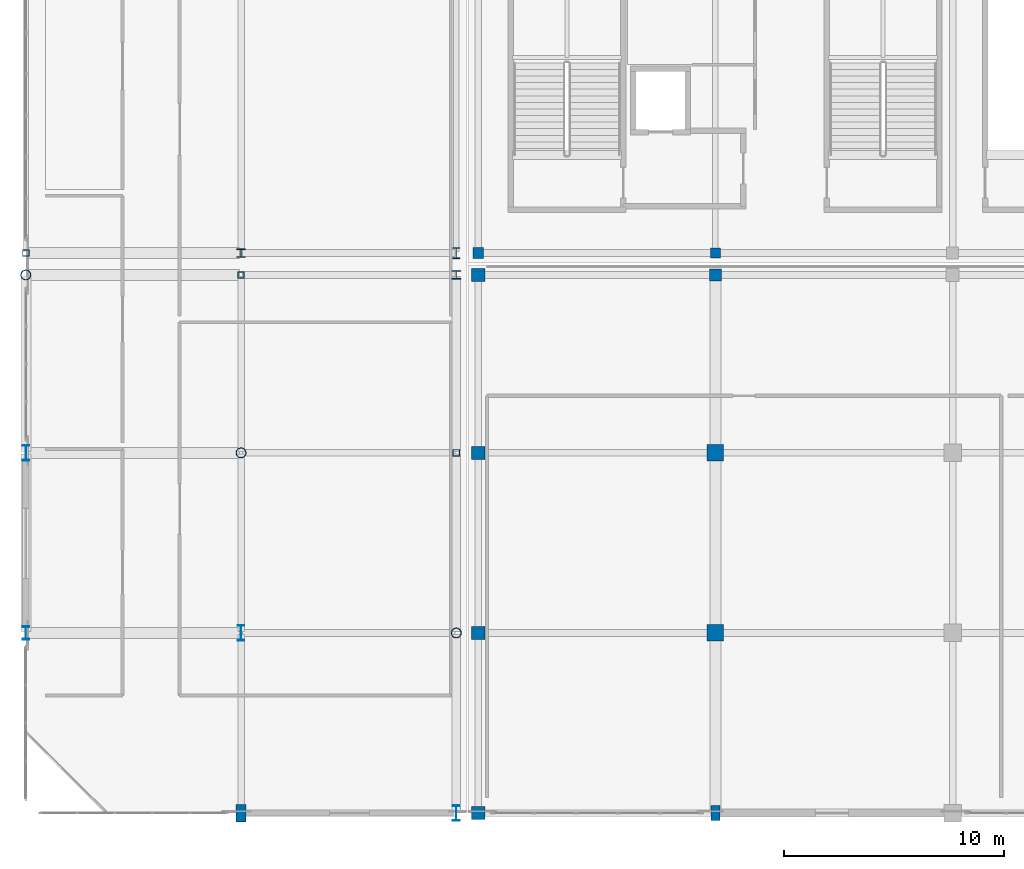
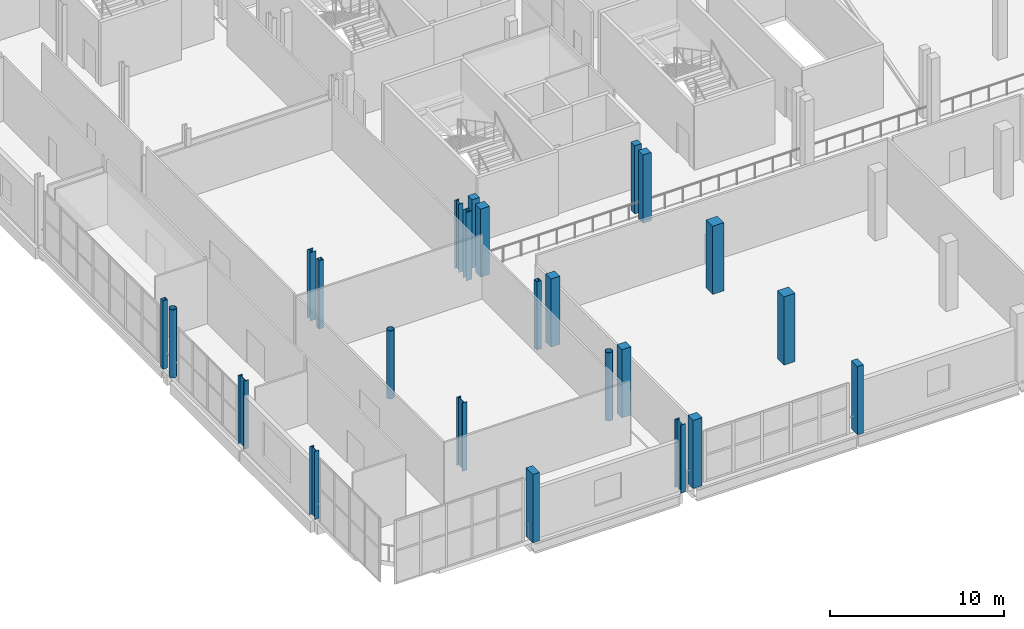
# One storey, part 1 of 129: 24 columns.
"""IFC4 building model written with IfcOpenShell, lengths in metres."""

from ifc_helpers import new_model, si_unit, direction, frame, origin, origin_2d, place, context, subcontext, project, spatial, rectangle, hollow_rectangle, hollow_circle, i_section, extrude, material, material_profile, profile_set, type_object, element, save


model = new_model("IFC4")

# Units and contexts
model_context = context("Model", 3, precision=1e-05, world=origin(), true_north=direction((0.0, 1.0)))
body_context = subcontext(model_context, "Body", "Model", "MODEL_VIEW")
ifc_project = project(units=[si_unit("LENGTHUNIT", "METRE"), si_unit("AREAUNIT", "SQUARE_METRE"), si_unit("VOLUMEUNIT", "CUBIC_METRE"), si_unit("PLANEANGLEUNIT", "RADIAN"), si_unit("MASSUNIT", "GRAM", prefix="KILO")], contexts=[model_context])

# Site, building, storey
site_placement = place(None, origin())
site = spatial("IfcSite", under=ifc_project, at=site_placement, CompositionType="ELEMENT")
building_placement = place(site_placement, origin())
building = spatial("IfcBuilding", under=site, at=building_placement, Name="Koshinbarg Plaza Stadium", CompositionType="ELEMENT")
storey_placement = place(building_placement, frame((0.0, 0.0, 5.39990234375)))
storey = spatial("IfcBuildingStorey", under=building, at=storey_placement, Name="L01", CompositionType="ELEMENT", Elevation=5.39990234375)

# Columns
ifc_material_1 = material(Name="Concrete C40/50", Category="concrete")
ifc_material_profile_1 = material_profile(ifc_material_1, rectangle(XDim=0.39990234375, YDim=0.699951171875, at=origin_2d()), Name="PIL 400x700")
ifc_profile_set_1 = profile_set([ifc_material_profile_1], Name="Concrete C40/50")
column_type_1 = type_object("IfcColumnType", Name="COL-PIL-01", PredefinedType="PILASTER", material=ifc_profile_set_1)
column_1_placement = place(storey_placement, frame((35.39990234375, 0.0, 0.0), z_axis=(0.0, 0.0, 1.0), x_axis=(1.0, 0.0, 0.0)))
element("IfcColumn", 1, at=column_1_placement, inside=storey, type_object=column_type_1, Name="L01 column 6/A", PredefinedType="PILASTER", context=body_context, shape_type="SweptSolid", body=[
    extrude(rectangle(XDim=0.39990234375, YDim=0.699951171875, at=origin_2d()), origin(), (0.0, 0.0, 1.0), 4.800048828125),
])
ifc_material_profile_2 = material_profile(ifc_material_1, rectangle(XDim=0.449951171875, YDim=0.800048828125, at=origin_2d()), Name="PIL 450x800")
ifc_profile_set_2 = profile_set([ifc_material_profile_2], Name="Concrete C40/50")
column_type_2 = type_object("IfcColumnType", Name="COL-PIL-02", PredefinedType="PILASTER", material=ifc_profile_set_2)
column_2_placement = place(storey_placement, frame((13.800048828125, 0.0, 0.0), z_axis=(0.0, 0.0, 1.0), x_axis=(1.0, 0.0, 0.0)))
element("IfcColumn", 2, at=column_2_placement, inside=storey, type_object=column_type_2, Name="L01 column 3/A", PredefinedType="PILASTER", context=body_context, shape_type="SweptSolid", body=[
    extrude(rectangle(XDim=0.449951171875, YDim=0.800048828125, at=origin_2d()), origin(), (0.0, 0.0, 1.0), 4.800048828125),
])
ifc_material_profile_3 = material_profile(ifc_material_1, rectangle(XDim=0.449951171875, YDim=0.449951171875, at=origin_2d()), Name="RC 450x450")
ifc_profile_set_3 = profile_set([ifc_material_profile_3], Name="Concrete C40/50")
column_type_3 = type_object("IfcColumnType", Name="COL-RC-01", PredefinedType="COLUMN", material=ifc_profile_set_3)
column_3_placement = place(storey_placement, frame((35.39990234375, 25.5, 0.0), z_axis=(0.0, 0.0, 1.0), x_axis=(1.0, 0.0, 0.0)))
element("IfcColumn", 3, at=column_3_placement, inside=storey, type_object=column_type_3, Name="L01 column 6/E", PredefinedType="COLUMN", context=body_context, shape_type="SweptSolid", body=[
    extrude(rectangle(XDim=0.449951171875, YDim=0.449951171875, at=origin_2d()), origin(), (0.0, 0.0, 1.0), 4.800048828125),
])
ifc_material_profile_4 = material_profile(ifc_material_1, rectangle(XDim=0.5, YDim=0.5, at=origin_2d()), Name="RC 500x500")
ifc_profile_set_4 = profile_set([ifc_material_profile_4], Name="Concrete C40/50")
column_type_4 = type_object("IfcColumnType", Name="COL-RC-02", PredefinedType="COLUMN", material=ifc_profile_set_4)
column_4_placement = place(storey_placement, frame((24.60009765625, 25.5, 0.0), z_axis=(0.0, 0.0, 1.0), x_axis=(1.0, 0.0, 0.0)))
element("IfcColumn", 4, at=column_4_placement, inside=storey, type_object=column_type_4, Name="L01 column 5/E", PredefinedType="COLUMN", context=body_context, shape_type="SweptSolid", body=[
    extrude(rectangle(XDim=0.5, YDim=0.5, at=origin_2d()), origin(), (0.0, 0.0, 1.0), 4.800048828125),
])
ifc_material_profile_5 = material_profile(ifc_material_1, rectangle(XDim=0.550048828125, YDim=0.550048828125, at=origin_2d()), Name="RC 550x550")
ifc_profile_set_5 = profile_set([ifc_material_profile_5], Name="Concrete C40/50")
column_type_5 = type_object("IfcColumnType", Name="COL-RC-03", PredefinedType="COLUMN", material=ifc_profile_set_5)
column_5_placement = place(storey_placement, frame((35.39990234375, 24.5, 0.0), z_axis=(0.0, 0.0, 1.0), x_axis=(1.0, 0.0, 0.0)))
element("IfcColumn", 5, at=column_5_placement, inside=storey, type_object=column_type_5, Name="L01 column 6/D", PredefinedType="COLUMN", context=body_context, shape_type="SweptSolid", body=[
    extrude(rectangle(XDim=0.550048828125, YDim=0.550048828125, at=origin_2d()), origin(), (0.0, 0.0, 1.0), 4.800048828125),
])
ifc_material_profile_6 = material_profile(ifc_material_1, rectangle(XDim=0.60009765625, YDim=0.60009765625, at=origin_2d()), Name="RC 600x600")
ifc_profile_set_6 = profile_set([ifc_material_profile_6], Name="Concrete C40/50")
column_type_6 = type_object("IfcColumnType", Name="COL-RC-04", PredefinedType="COLUMN", material=ifc_profile_set_6)
for number, where, z_axis, x_axis, name in (
    (6, (24.60009765625, 0.0, 0.0), (0.0, 0.0, 1.0), (1.0, 0.0, 0.0), "L01 column 5/A"),
    (7, (24.60009765625, 8.199951171875, 0.0), (0.0, 0.0, 1.0), (1.0, 0.0, 0.0), "L01 column 5/B"),
    (8, (24.60009765625, 16.39990234375, 0.0), (0.0, 0.0, 1.0), (1.0, 0.0, 0.0), "L01 column 5/C"),
    (9, (24.60009765625, 24.5, 0.0), (0.0, 0.0, 1.0), (1.0, 0.0, 0.0), "L01 column 5/D"),
):
    element("IfcColumn", number, at=place(storey_placement, frame(where, z_axis=z_axis, x_axis=x_axis)), inside=storey, type_object=column_type_6, Name=name, PredefinedType="COLUMN", context=body_context, shape_type="SweptSolid", body=[
        extrude(rectangle(XDim=0.60009765625, YDim=0.60009765625, at=origin_2d()), origin(), (0.0, 0.0, 1.0), 4.800048828125),
    ])
ifc_material_profile_7 = material_profile(ifc_material_1, rectangle(XDim=0.75, YDim=0.75, at=origin_2d()), Name="RC 750x750")
ifc_profile_set_7 = profile_set([ifc_material_profile_7], Name="Concrete C40/50")
column_type_7 = type_object("IfcColumnType", Name="COL-RC-07", PredefinedType="COLUMN", material=ifc_profile_set_7)
for number, where, z_axis, x_axis, name in (
    (10, (35.39990234375, 8.199951171875, 0.0), (0.0, 0.0, 1.0), (1.0, 0.0, 0.0), "L01 column 6/B"),
    (11, (35.39990234375, 16.39990234375, 0.0), (0.0, 0.0, 1.0), (1.0, 0.0, 0.0), "L01 column 6/C"),
):
    element("IfcColumn", number, at=place(storey_placement, frame(where, z_axis=z_axis, x_axis=x_axis)), inside=storey, type_object=column_type_7, Name=name, PredefinedType="COLUMN", context=body_context, shape_type="SweptSolid", body=[
        extrude(rectangle(XDim=0.75, YDim=0.75, at=origin_2d()), origin(), (0.0, 0.0, 1.0), 4.800048828125),
    ])
ifc_material_2 = material(Name="Steel S355", Category="steel")
ifc_material_profile_8 = material_profile(ifc_material_2, i_section(OverallWidth=0.39501953125, OverallDepth=0.3798828125, WebThickness=0.018798828125, FlangeThickness=0.0302734375, at=origin_2d()), Name="HD 400x237")
ifc_profile_set_8 = profile_set([ifc_material_profile_8], Name="Steel S355")
column_type_8 = type_object("IfcColumnType", Name="COL-STL-01", PredefinedType="COLUMN", material=ifc_profile_set_8)
for number, where, z_axis, x_axis, name in (
    (12, (13.800048828125, 25.5, 0.0), (0.0, 0.0, 1.0), (1.0, 0.0, 0.0), "L01 column 3/E"),
    (13, (23.60009765625, 24.5, 0.0), (0.0, 0.0, 1.0), (1.0, 0.0, 0.0), "L01 column 4/D"),
):
    element("IfcColumn", number, at=place(storey_placement, frame(where, z_axis=z_axis, x_axis=x_axis)), inside=storey, type_object=column_type_8, Name=name, PredefinedType="COLUMN", context=body_context, shape_type="SweptSolid", body=[
        extrude(i_section(OverallWidth=0.39501953125, OverallDepth=0.3798828125, WebThickness=0.018798828125, FlangeThickness=0.0302734375, at=origin_2d()), origin(), (0.0, 0.0, 1.0), 4.800048828125),
    ])
ifc_material_profile_9 = material_profile(ifc_material_2, i_section(OverallWidth=0.300048828125, OverallDepth=0.5, WebThickness=0.014404296875, FlangeThickness=0.028076171875, at=origin_2d()), Name="HEB 500")
ifc_profile_set_9 = profile_set([ifc_material_profile_9], Name="Steel S355")
column_type_9 = type_object("IfcColumnType", Name="COL-STL-02", PredefinedType="COLUMN", material=ifc_profile_set_9)
column_6_placement = place(storey_placement, frame((23.60009765625, 25.5, 0.0), z_axis=(0.0, 0.0, 1.0), x_axis=(1.0, 0.0, 0.0)))
element("IfcColumn", 14, at=column_6_placement, inside=storey, type_object=column_type_9, Name="L01 column 4/E", PredefinedType="COLUMN", context=body_context, shape_type="SweptSolid", body=[
    extrude(i_section(OverallWidth=0.300048828125, OverallDepth=0.5, WebThickness=0.014404296875, FlangeThickness=0.028076171875, at=origin_2d()), origin(), (0.0, 0.0, 1.0), 4.800048828125),
])
ifc_material_profile_10 = material_profile(ifc_material_2, i_section(OverallWidth=0.300048828125, OverallDepth=0.60009765625, WebThickness=0.015380859375, FlangeThickness=0.030029296875, at=origin_2d()), Name="HEB 600")
ifc_profile_set_10 = profile_set([ifc_material_profile_10], Name="Steel S355")
column_type_10 = type_object("IfcColumnType", Name="COL-STL-03", PredefinedType="COLUMN", material=ifc_profile_set_10)
column_7_placement = place(storey_placement, frame((4.0, 8.199951171875, 0.0), z_axis=(0.0, 0.0, 1.0), x_axis=(1.0, 0.0, 0.0)))
element("IfcColumn", 15, at=column_7_placement, inside=storey, type_object=column_type_10, Name="L01 column 2/B", PredefinedType="COLUMN", context=body_context, shape_type="SweptSolid", body=[
    extrude(i_section(OverallWidth=0.300048828125, OverallDepth=0.60009765625, WebThickness=0.015380859375, FlangeThickness=0.030029296875, at=origin_2d()), origin(), (0.0, 0.0, 1.0), 4.800048828125),
])
ifc_material_profile_11 = material_profile(ifc_material_2, i_section(OverallWidth=0.300048828125, OverallDepth=0.699951171875, WebThickness=0.01708984375, FlangeThickness=0.031982421875, at=origin_2d()), Name="HEB 700")
ifc_profile_set_11 = profile_set([ifc_material_profile_11], Name="Steel S355")
column_type_11 = type_object("IfcColumnType", Name="COL-STL-04", PredefinedType="COLUMN", material=ifc_profile_set_11)
for number, where, z_axis, x_axis, name in (
    (16, (4.0, 16.39990234375, 0.0), (0.0, 0.0, 1.0), (1.0, 0.0, 0.0), "L01 column 2/C"),
    (17, (13.800048828125, 8.199951171875, 0.0), (0.0, 0.0, 1.0), (1.0, 0.0, 0.0), "L01 column 3/B"),
    (18, (23.60009765625, 0.0, 0.0), (0.0, 0.0, 1.0), (1.0, 0.0, 0.0), "L01 column 4/A"),
):
    element("IfcColumn", number, at=place(storey_placement, frame(where, z_axis=z_axis, x_axis=x_axis)), inside=storey, type_object=column_type_11, Name=name, PredefinedType="COLUMN", context=body_context, shape_type="SweptSolid", body=[
        extrude(i_section(OverallWidth=0.300048828125, OverallDepth=0.699951171875, WebThickness=0.01708984375, FlangeThickness=0.031982421875, at=origin_2d()), origin(), (0.0, 0.0, 1.0), 4.800048828125),
    ])
ifc_material_profile_12 = material_profile(ifc_material_2, hollow_circle(Radius=0.228515625, WallThickness=0.02001953125, at=origin_2d()), Name="CHS 457x20")
ifc_profile_set_12 = profile_set([ifc_material_profile_12], Name="Steel S355")
column_type_12 = type_object("IfcColumnType", Name="COL-STL-05", PredefinedType="COLUMN", material=ifc_profile_set_12)
for number, where, z_axis, x_axis, name in (
    (19, (4.0, 24.5, 0.0), (0.0, 0.0, 1.0), (1.0, 0.0, 0.0), "L01 column 2/D"),
    (20, (13.800048828125, 16.39990234375, 0.0), (0.0, 0.0, 1.0), (1.0, 0.0, 0.0), "L01 column 3/C"),
    (21, (23.60009765625, 8.199951171875, 0.0), (0.0, 0.0, 1.0), (1.0, 0.0, 0.0), "L01 column 4/B"),
):
    element("IfcColumn", number, at=place(storey_placement, frame(where, z_axis=z_axis, x_axis=x_axis)), inside=storey, type_object=column_type_12, Name=name, PredefinedType="COLUMN", context=body_context, shape_type="SweptSolid", body=[
        extrude(hollow_circle(Radius=0.228515625, WallThickness=0.02001953125, at=origin_2d()), origin(), (0.0, 0.0, 1.0), 4.800048828125),
    ])
ifc_material_profile_13 = material_profile(ifc_material_2, hollow_rectangle(XDim=0.300048828125, YDim=0.300048828125, WallThickness=0.01611328125, at=origin_2d()), Name="SHS 300x300x16")
ifc_profile_set_13 = profile_set([ifc_material_profile_13], Name="Steel S355")
column_type_13 = type_object("IfcColumnType", Name="COL-STL-06", PredefinedType="COLUMN", material=ifc_profile_set_13)
for number, where, z_axis, x_axis, name in (
    (22, (4.0, 25.5, 0.0), (0.0, 0.0, 1.0), (1.0, 0.0, 0.0), "L01 column 2/E"),
    (23, (13.800048828125, 24.5, 0.0), (0.0, 0.0, 1.0), (1.0, 0.0, 0.0), "L01 column 3/D"),
    (24, (23.60009765625, 16.39990234375, 0.0), (0.0, 0.0, 1.0), (1.0, 0.0, 0.0), "L01 column 4/C"),
):
    element("IfcColumn", number, at=place(storey_placement, frame(where, z_axis=z_axis, x_axis=x_axis)), inside=storey, type_object=column_type_13, Name=name, PredefinedType="COLUMN", context=body_context, shape_type="SweptSolid", body=[
        extrude(hollow_rectangle(XDim=0.300048828125, YDim=0.300048828125, WallThickness=0.01611328125, at=origin_2d()), origin(), (0.0, 0.0, 1.0), 4.800048828125),
    ])

save(model, "model.ifc")
